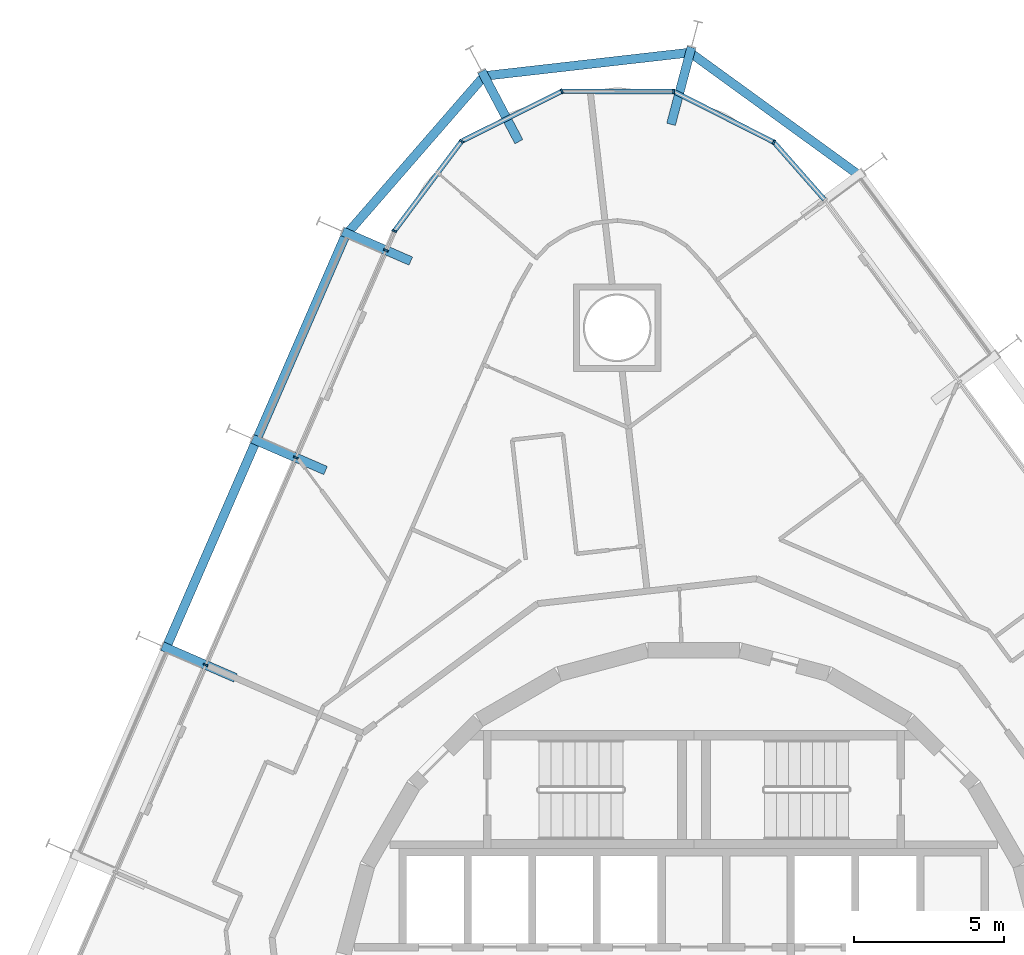
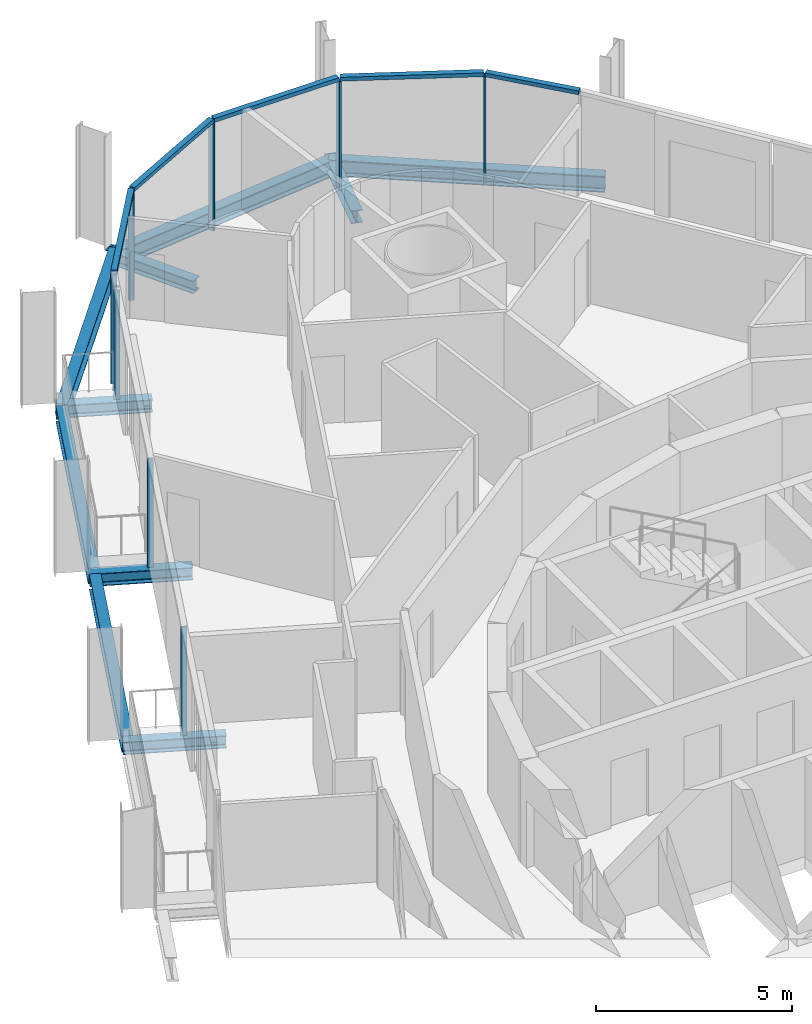
# One storey, part 9 of 24: 13 members, 10 beams, 2 elements without a shape of their own.
"""IFC4 building model written with IfcOpenShell, lengths in metres."""

from ifc_helpers import new_model, si_unit, direction, frame, origin, origin_2d, place, context, subcontext, project, spatial, rectangle, i_section, extrude, material, layer, layer_set, material_profile, profile_set, type_object, element, aggregate, save


model = new_model("IFC4")

# Units and contexts
model_context = context("Model", 3, precision=1e-05, world=origin(), true_north=direction((0.0, 1.0)))
body_context = subcontext(model_context, "Body", "Model", "MODEL_VIEW")
ifc_project = project(units=[si_unit("LENGTHUNIT", "METRE"), si_unit("AREAUNIT", "SQUARE_METRE"), si_unit("VOLUMEUNIT", "CUBIC_METRE"), si_unit("PLANEANGLEUNIT", "RADIAN"), si_unit("MASSUNIT", "GRAM", prefix="KILO")], contexts=[model_context])

# Site, building, storey
site_placement = place(None, origin())
site = spatial("IfcSite", under=ifc_project, at=site_placement, CompositionType="ELEMENT")
building_placement = place(site_placement, origin())
building = spatial("IfcBuilding", under=site, at=building_placement, Name="Spindle Arch Residences", CompositionType="ELEMENT")
storey_placement = place(building_placement, frame((0.0, 0.0, 94.199951171875)))
storey = spatial("IfcBuildingStorey", under=building, at=storey_placement, Name="L22", CompositionType="ELEMENT", Elevation=94.199951171875)

# Curtain wall, members
ifc_material_1 = material(Name="Aluminium bronze unitised frame with tinted glass", Category="aluminium")
ifc_layer_1 = layer(ifc_material_1, 0.159912109375)
ifc_layer_set_1 = layer_set([ifc_layer_1], Name="CW-D corner wall on the fillet arcs")
curtain_wall_type_1 = type_object("IfcCurtainWallType", Name="CW-D corner wall on the fillet arcs", PredefinedType="NOTDEFINED", material=ifc_layer_set_1)
curtain_wall_1_placement = place(storey_placement, origin())
curtain_wall_1 = element("IfcCurtainWall", 1, at=curtain_wall_1_placement, inside=storey, type_object=curtain_wall_type_1, Name="CW-D L22 run 3", PredefinedType="NOTDEFINED")
ifc_material_2 = material(Name="Aluminium bronze anodised mullion", Category="aluminium")
ifc_material_profile_1 = material_profile(ifc_material_2, rectangle(XDim=0.159912109375, YDim=0.06005859375, at=origin_2d()), Name="MU 60x160")
ifc_profile_set_1 = profile_set([ifc_material_profile_1], Name="Aluminium bronze anodised mullion")
member_type_1 = type_object("IfcMemberType", Name="Bronze mullion 60x160", PredefinedType="MULLION", material=ifc_profile_set_1)
member_1_placement = place(storey_placement, frame((2.662841796875, 28.544921875, -0.3798828125), z_axis=(0.0, 0.0, 1.0), x_axis=(-0.451396753797, -0.892323355439, 0.0)))
member_1 = element("IfcMember", 2, at=member_1_placement, type_object=member_type_1, Name="CW-D mullion 01", PredefinedType="MULLION", context=body_context, shape_type="SweptSolid", body=[
    extrude(rectangle(XDim=0.159912109375, YDim=0.06005859375, at=origin_2d()), origin(), (0.0, 0.0, 1.0), 3.3798828125),
])
member_2_placement = place(storey_placement, frame((-0.66259765625, 30.22705078125, -0.3798828125), z_axis=(0.0, 0.0, 1.0), x_axis=(-0.002908881551, -0.999995769195, 0.0)))
member_2 = element("IfcMember", 3, at=member_2_placement, type_object=member_type_1, Name="CW-D mullion 02", PredefinedType="MULLION", context=body_context, shape_type="SweptSolid", body=[
    extrude(rectangle(XDim=0.159912109375, YDim=0.06005859375, at=origin_2d()), origin(), (0.0, 0.0, 1.0), 3.3798828125),
])
member_3_placement = place(storey_placement, frame((-4.38916015625, 30.23779296875, -0.3798828125), z_axis=(0.0, 0.0, 1.0), x_axis=(0.446197812813, -0.89493436175, 0.0)))
member_3 = element("IfcMember", 4, at=member_3_placement, type_object=member_type_1, Name="CW-D mullion 03", PredefinedType="MULLION", context=body_context, shape_type="SweptSolid", body=[
    extrude(rectangle(XDim=0.159912109375, YDim=0.06005859375, at=origin_2d()), origin(), (0.0, 0.0, 1.0), 3.3798828125),
])
member_4_placement = place(storey_placement, frame((-7.724365234375, 28.574951171875, -0.3798828125), z_axis=(0.0, 0.0, 1.0), x_axis=(0.800382739909, -0.599489340736, 0.0)))
member_4 = element("IfcMember", 5, at=member_4_placement, type_object=member_type_1, Name="CW-D mullion 04", PredefinedType="MULLION", context=body_context, shape_type="SweptSolid", body=[
    extrude(rectangle(XDim=0.159912109375, YDim=0.06005859375, at=origin_2d()), origin(), (0.0, 0.0, 1.0), 3.3798828125),
])
member_5_placement = place(storey_placement, frame((-9.958740234375, 25.59228515625, -0.3798828125), z_axis=(0.0, 0.0, 1.0), x_axis=(0.917060074385, -0.398749068925, 0.0)))
member_5 = element("IfcMember", 6, at=member_5_placement, type_object=member_type_1, Name="CW-D mullion 05", PredefinedType="MULLION", context=body_context, shape_type="SweptSolid", body=[
    extrude(rectangle(XDim=0.159912109375, YDim=0.06005859375, at=origin_2d()), origin(), (0.0, 0.0, 1.0), 3.3798828125),
])

ifc_material_3 = material(Name="Aluminium bronze unitised frame with tinted glass", Category="aluminium")
ifc_layer_2 = layer(ifc_material_3, 0.159912109375)
ifc_layer_set_2 = layer_set([ifc_layer_2], Name="CW-C typical residential unitised wall")
curtain_wall_type_2 = type_object("IfcCurtainWallType", Name="CW-C typical residential unitised wall", PredefinedType="NOTDEFINED", material=ifc_layer_set_2)
curtain_wall_2_placement = place(storey_placement, origin())
curtain_wall_2 = element("IfcCurtainWall", 7, at=curtain_wall_2_placement, inside=storey, type_object=curtain_wall_type_2, Name="CW-C L22 run 4", PredefinedType="NOTDEFINED")
member_6_placement = place(storey_placement, frame((-10.23828125, 24.94873046875, -0.3798828125), z_axis=(0.0, 0.0, 1.0), x_axis=(0.917060074385, -0.398749068925, 0.0)))
member_6 = element("IfcMember", 8, at=member_6_placement, type_object=member_type_1, Name="CW-C mullion 13", PredefinedType="MULLION", context=body_context, shape_type="SweptSolid", body=[
    extrude(rectangle(XDim=0.159912109375, YDim=0.06005859375, at=origin_2d()), origin(), (0.0, 0.0, 1.0), 3.3798828125),
])
member_7_placement = place(storey_placement, frame((-13.236572265625, 18.0537109375, -0.3798828125), z_axis=(0.0, 0.0, 1.0), x_axis=(0.917060074385, -0.398749068925, 0.0)))
member_7 = element("IfcMember", 9, at=member_7_placement, type_object=member_type_1, Name="CW-C mullion 14", PredefinedType="MULLION", context=body_context, shape_type="SweptSolid", body=[
    extrude(rectangle(XDim=0.159912109375, YDim=0.06005859375, at=origin_2d()), origin(), (0.0, 0.0, 1.0), 3.3798828125),
])
member_8_placement = place(storey_placement, frame((-16.234619140625, 11.158447265625, -0.3798828125), z_axis=(0.0, 0.0, 1.0), x_axis=(0.917060074385, -0.398749068925, 0.0)))
member_8 = element("IfcMember", 10, at=member_8_placement, type_object=member_type_1, Name="CW-C mullion 15", PredefinedType="MULLION", context=body_context, shape_type="SweptSolid", body=[
    extrude(rectangle(XDim=0.159912109375, YDim=0.06005859375, at=origin_2d()), origin(), (0.0, 0.0, 1.0), 3.3798828125),
])
aggregate(curtain_wall_2, [member_6, member_7, member_8])

# Member
ifc_material_4 = material(Name="Aluminium bronze anodised transom", Category="aluminium")
ifc_material_profile_2 = material_profile(ifc_material_4, rectangle(XDim=0.159912109375, YDim=0.1201171875, at=origin_2d()), Name="TR 120x160")
ifc_profile_set_2 = profile_set([ifc_material_profile_2], Name="Aluminium bronze anodised transom")
member_type_2 = type_object("IfcMemberType", Name="Bronze transom 120x160", PredefinedType="USERDEFINED", material=ifc_profile_set_2)
member_9_placement = place(storey_placement, frame((4.34375, 26.635009765625, 3.06005859375), z_axis=(-0.660660732339, 0.750684618695, 0.0), x_axis=(-0.750684618695, -0.660660732339, 0.0)))
member_9 = element("IfcMember", 11, at=member_9_placement, type_object=member_type_2, Name="CW-D transom 00", ObjectType="TRANSOM", PredefinedType="USERDEFINED", context=body_context, shape_type="SweptSolid", body=[
    extrude(rectangle(XDim=0.159912109375, YDim=0.1201171875, at=origin_2d()), origin(), (0.0, 0.0, 1.0), 2.513916015625),
])

member_10_placement = place(storey_placement, frame((2.63623046875, 28.558349609375, 3.06005859375), z_axis=(-0.892313345479, 0.45141654099, 0.0), x_axis=(-0.45141654099, -0.892313345479, 0.0)))
member_10 = element("IfcMember", 12, at=member_10_placement, type_object=member_type_2, Name="CW-D transom 01", ObjectType="TRANSOM", PredefinedType="USERDEFINED", context=body_context, shape_type="SweptSolid", body=[
    extrude(rectangle(XDim=0.159912109375, YDim=0.1201171875, at=origin_2d()), origin(), (0.0, 0.0, 1.0), 3.666748046875),
])

member_11_placement = place(storey_placement, frame((-0.692626953125, 30.22705078125, 3.06005859375), z_axis=(-0.999995708684, 0.002929609906, 0.0), x_axis=(-0.002929609906, -0.999995708684, 0.0)))
member_11 = element("IfcMember", 13, at=member_11_placement, type_object=member_type_2, Name="CW-D transom 02", ObjectType="TRANSOM", PredefinedType="USERDEFINED", context=body_context, shape_type="SweptSolid", body=[
    extrude(rectangle(XDim=0.159912109375, YDim=0.1201171875, at=origin_2d()), origin(), (0.0, 0.0, 1.0), 3.666748046875),
])

member_12_placement = place(storey_placement, frame((-4.416015625, 30.224609375, 3.06005859375), z_axis=(-0.894919349856, -0.446227920745, 0.0), x_axis=(0.446227920745, -0.894919349856, 0.0)))
member_12 = element("IfcMember", 14, at=member_12_placement, type_object=member_type_2, Name="CW-D transom 03", ObjectType="TRANSOM", PredefinedType="USERDEFINED", context=body_context, shape_type="SweptSolid", body=[
    extrude(rectangle(XDim=0.159912109375, YDim=0.1201171875, at=origin_2d()), origin(), (0.0, 0.0, 1.0), 3.666748046875),
])

member_13_placement = place(storey_placement, frame((-7.742431640625, 28.551025390625, 3.06005859375), z_axis=(-0.599499190139, -0.800375362579, 0.0), x_axis=(0.800375362579, -0.599499190139, 0.0)))
member_13 = element("IfcMember", 15, at=member_13_placement, type_object=member_type_2, Name="CW-D transom 04", ObjectType="TRANSOM", PredefinedType="USERDEFINED", context=body_context, shape_type="SweptSolid", body=[
    extrude(rectangle(XDim=0.159912109375, YDim=0.1201171875, at=origin_2d()), origin(), (0.0, 0.0, 1.0), 3.666748046875),
])

aggregate(curtain_wall_1, [member_9, member_1, member_10, member_2, member_11, member_3, member_12, member_4, member_13, member_5])

# Beams
ifc_material_5 = material(Name="Steel S460ML, intumescent coating R 120", Category="steel")
ifc_material_profile_3 = material_profile(ifc_material_5, i_section(OverallWidth=0.300048828125, OverallDepth=0.5, WebThickness=0.014404296875, FlangeThickness=0.028076171875, FilletRadius=0.027099609375, at=origin_2d()), Name="HEB 500")
ifc_profile_set_3 = profile_set([ifc_material_profile_3], Name="Steel S460ML, intumescent coating R 120")
beam_type_1 = type_object("IfcBeamType", Name="Exoskeleton edge beam HEB 500", PredefinedType="BEAM", material=ifc_profile_set_3)
beam_1_placement = place(storey_placement, frame((5.552734375, 27.40478515625, -0.6298828125), z_axis=(-0.809296745618, 0.587400014923, 0.0), x_axis=(-0.587400014923, -0.809296745618, 0.0)))
element("IfcBeam", 16, at=beam_1_placement, inside=storey, type_object=beam_type_1, Name="Exoskeleton edge beam 11", PredefinedType="BEAM", context=body_context, shape_type="SweptSolid", body=[
    extrude(i_section(OverallWidth=0.300048828125, OverallDepth=0.5, WebThickness=0.014404296875, FlangeThickness=0.028076171875, FilletRadius=0.027099609375, at=origin_2d()), origin(), (0.0, 0.0, 1.0), 7.094482421875),
])
beam_2_placement = place(storey_placement, frame((-0.02685546875, 31.5361328125, -0.6298828125), z_axis=(-0.993571479585, -0.11320651463, 0.0), x_axis=(0.11320651463, -0.993571479585, 0.0)))
element("IfcBeam", 17, at=beam_2_placement, inside=storey, type_object=beam_type_1, Name="Exoskeleton edge beam 12", PredefinedType="BEAM", context=body_context, shape_type="SweptSolid", body=[
    extrude(i_section(OverallWidth=0.300048828125, OverallDepth=0.5, WebThickness=0.014404296875, FlangeThickness=0.028076171875, FilletRadius=0.027099609375, at=origin_2d()), origin(), (0.0, 0.0, 1.0), 7.086669921875),
])
beam_3_placement = place(storey_placement, frame((-6.918212890625, 30.80517578125, -0.6298828125), z_axis=(-0.656418952224, -0.754396552989, 0.0), x_axis=(0.754396552989, -0.656418952224, 0.0)))
element("IfcBeam", 18, at=beam_3_placement, inside=storey, type_object=beam_type_1, Name="Exoskeleton edge beam 13", PredefinedType="BEAM", context=body_context, shape_type="SweptSolid", body=[
    extrude(i_section(OverallWidth=0.300048828125, OverallDepth=0.5, WebThickness=0.014404296875, FlangeThickness=0.028076171875, FilletRadius=0.027099609375, at=origin_2d()), origin(), (0.0, 0.0, 1.0), 7.09423828125),
])
beam_4_placement = place(storey_placement, frame((-11.604248046875, 25.40087890625, -0.6298828125), z_axis=(-0.398772846535, -0.91704973522, 0.0), x_axis=(0.91704973522, -0.398772846535, 0.0)))
element("IfcBeam", 19, at=beam_4_placement, inside=storey, type_object=beam_type_1, Name="Exoskeleton edge beam 14", PredefinedType="BEAM", context=body_context, shape_type="SweptSolid", body=[
    extrude(i_section(OverallWidth=0.300048828125, OverallDepth=0.5, WebThickness=0.014404296875, FlangeThickness=0.028076171875, FilletRadius=0.027099609375, at=origin_2d()), origin(), (0.0, 0.0, 1.0), 7.258544921875),
])
beam_5_placement = place(storey_placement, frame((-14.602294921875, 18.505859375, -0.6298828125), z_axis=(-0.398760546857, -0.917055083553, 0.0), x_axis=(0.917055083553, -0.398760546857, 0.0)))
element("IfcBeam", 20, at=beam_5_placement, inside=storey, type_object=beam_type_1, Name="Exoskeleton edge beam 15", PredefinedType="BEAM", context=body_context, shape_type="SweptSolid", body=[
    extrude(i_section(OverallWidth=0.300048828125, OverallDepth=0.5, WebThickness=0.014404296875, FlangeThickness=0.028076171875, FilletRadius=0.027099609375, at=origin_2d()), origin(), (0.0, 0.0, 1.0), 7.2587890625),
])
ifc_material_6 = material(Name="Steel S460ML, intumescent coating R 120", Category="steel")
ifc_material_profile_4 = material_profile(ifc_material_6, i_section(OverallWidth=0.300048828125, OverallDepth=0.389892578125, WebThickness=0.010986328125, FlangeThickness=0.01904296875, FilletRadius=0.027099609375, at=origin_2d()), Name="HEA 400")
ifc_profile_set_4 = profile_set([ifc_material_profile_4], Name="Steel S460ML, intumescent coating R 120")
beam_type_2 = type_object("IfcBeamType", Name="Floor outrigger HEA 400", PredefinedType="BEAM", material=ifc_profile_set_4)
beam_6_placement = place(storey_placement, frame((-0.079345703125, 31.698974609375, -0.574951171875), z_axis=(-0.255930543214, -0.966695172767, 0.0), x_axis=(0.966695172767, -0.255930543214, 0.0)))
element("IfcBeam", 21, at=beam_6_placement, inside=storey, type_object=beam_type_2, Name="Floor outrigger 12", PredefinedType="BEAM", context=body_context, shape_type="SweptSolid", body=[
    extrude(i_section(OverallWidth=0.300048828125, OverallDepth=0.389892578125, WebThickness=0.010986328125, FlangeThickness=0.01904296875, FilletRadius=0.027099609375, at=origin_2d()), origin(), (0.0, 0.0, 1.0), 2.650146484375),
])
beam_7_placement = place(storey_placement, frame((-7.05322265625, 30.904296875, -0.574951171875), z_axis=(0.466748611055, -0.88439003504, 0.0), x_axis=(0.88439003504, 0.466748611055, 0.0)))
element("IfcBeam", 22, at=beam_7_placement, inside=storey, type_object=beam_type_2, Name="Floor outrigger 13", PredefinedType="BEAM", context=body_context, shape_type="SweptSolid", body=[
    extrude(i_section(OverallWidth=0.300048828125, OverallDepth=0.389892578125, WebThickness=0.010986328125, FlangeThickness=0.01904296875, FilletRadius=0.027099609375, at=origin_2d()), origin(), (0.0, 0.0, 1.0), 2.64990234375),
])
beam_8_placement = place(storey_placement, frame((-11.677978515625, 25.574951171875, -0.574951171875), z_axis=(0.917041778062, -0.398791144948, 0.0), x_axis=(0.398791144948, 0.917041778062, 0.0)))
element("IfcBeam", 23, at=beam_8_placement, inside=storey, type_object=beam_type_2, Name="Floor outrigger 14", PredefinedType="BEAM", context=body_context, shape_type="SweptSolid", body=[
    extrude(i_section(OverallWidth=0.300048828125, OverallDepth=0.389892578125, WebThickness=0.010986328125, FlangeThickness=0.01904296875, FilletRadius=0.027099609375, at=origin_2d()), origin(), (0.0, 0.0, 1.0), 2.470947265625),
])
for number, where, z_axis, x_axis, name in (
    (24, (-14.67626953125, 18.6796875, -0.574951171875), (0.917064197317, -0.398739586698, 0.0), (0.398739586698, 0.917064197317, 0.0), "Floor outrigger 15"),
    (25, (-17.67431640625, 11.784423828125, -0.574951171875), (0.917064197317, -0.398739586698, 0.0), (0.398739586698, 0.917064197317, 0.0), "Floor outrigger 16"),
):
    element("IfcBeam", number, at=place(storey_placement, frame(where, z_axis=z_axis, x_axis=x_axis)), inside=storey, type_object=beam_type_2, Name=name, PredefinedType="BEAM", context=body_context, shape_type="SweptSolid", body=[
        extrude(i_section(OverallWidth=0.300048828125, OverallDepth=0.389892578125, WebThickness=0.010986328125, FlangeThickness=0.01904296875, FilletRadius=0.027099609375, at=origin_2d()), origin(), (0.0, 0.0, 1.0), 2.64990234375),
    ])

save(model, "model.ifc")
